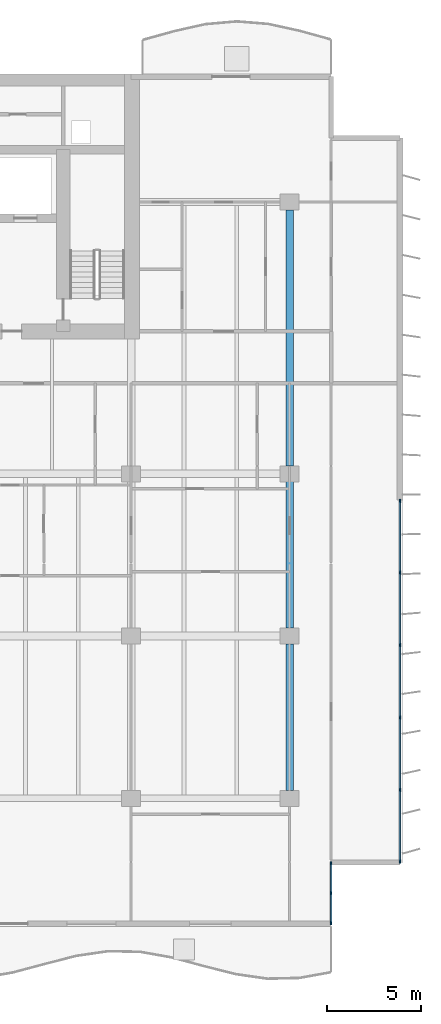
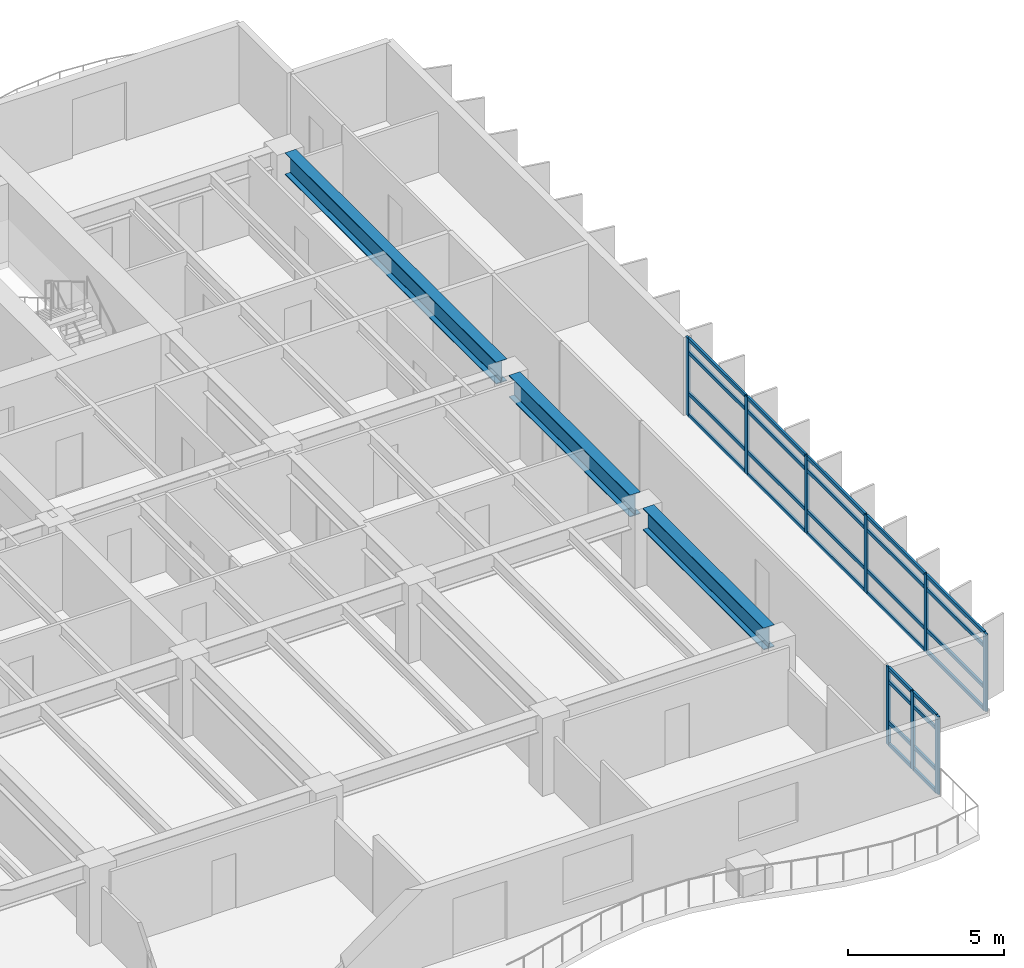
# One storey, part 4 of 16: 37 members, 3 beams, 2 elements without a shape of their own.
"""IFC4 building model written with IfcOpenShell, lengths in metres."""

from ifc_helpers import new_model, si_unit, direction, frame, origin, origin_2d, place, context, subcontext, project, spatial, rectangle, i_section, extrude, material, layer, layer_set, material_profile, profile_set, type_object, element, aggregate, save


model = new_model("IFC4")

# Units and contexts
model_context = context("Model", 3, precision=1e-05, world=origin(), true_north=direction((0.0, 1.0)))
body_context = subcontext(model_context, "Body", "Model", "MODEL_VIEW")
ifc_project = project(units=[si_unit("LENGTHUNIT", "METRE"), si_unit("AREAUNIT", "SQUARE_METRE"), si_unit("VOLUMEUNIT", "CUBIC_METRE"), si_unit("PLANEANGLEUNIT", "RADIAN"), si_unit("MASSUNIT", "GRAM", prefix="KILO")], contexts=[model_context])

# Site, building, storey
site_placement = place(None, origin())
site = spatial("IfcSite", under=ifc_project, at=site_placement, CompositionType="ELEMENT")
building_placement = place(site_placement, origin())
building = spatial("IfcBuilding", under=site, at=building_placement, Name="Caelmar Bay Residences", CompositionType="ELEMENT")
storey_placement = place(building_placement, frame((0.0, 0.0, 145.5)))
storey = spatial("IfcBuildingStorey", under=building, at=storey_placement, Name="L40", CompositionType="ELEMENT", Elevation=145.5)

# Beams
ifc_material_1 = material(Name="Steel ASTM A992 Grade 50", Category="steel")
ifc_material_profile_1 = material_profile(ifc_material_1, i_section(OverallWidth=0.40087890625, OverallDepth=0.861083984375, WebThickness=0.019775390625, FlangeThickness=0.032470703125, FilletRadius=0.017822265625, at=origin_2d()), Name="W33X221")
ifc_profile_set_1 = profile_set([ifc_material_profile_1], Name="Steel ASTM A992 Grade 50")
beam_type = type_object("IfcBeamType", Name="BM-GRD-W33X221", PredefinedType="BEAM", material=ifc_profile_set_1)
for number, where, z_axis, x_axis, name in (
    (1, (67.89990234375, 12.614990234375, 2.619384765625), (0.0, 1.0, 0.0), (-1.0, 0.0, 0.0), "L40 North-South Girder X=67.90 (12.2-20.8)"),
    (2, (67.89990234375, 21.215087890625, 2.619384765625), (0.0, 1.0, 0.0), (-1.0, 0.0, 0.0), "L40 North-South Girder X=67.90 (20.8-29.4)"),
):
    element("IfcBeam", number, at=place(storey_placement, frame(where, z_axis=z_axis, x_axis=x_axis)), inside=storey, type_object=beam_type, Name=name, PredefinedType="BEAM", context=body_context, shape_type="SweptSolid", body=[
        extrude(i_section(OverallWidth=0.40087890625, OverallDepth=0.861083984375, WebThickness=0.019775390625, FlangeThickness=0.032470703125, FilletRadius=0.017822265625, at=origin_2d()), origin(), (0.0, 0.0, 1.0), 7.77001953125),
    ])
beam_placement = place(storey_placement, frame((67.89990234375, 29.81494140625, 2.619384765625), z_axis=(0.0, 1.0, 0.0), x_axis=(-1.0, 0.0, 0.0)))
element("IfcBeam", 3, at=beam_placement, inside=storey, type_object=beam_type, Name="L40 North-South Girder X=67.90 (29.4-43.8)", PredefinedType="BEAM", context=body_context, shape_type="SweptSolid", body=[
    extrude(i_section(OverallWidth=0.40087890625, OverallDepth=0.861083984375, WebThickness=0.019775390625, FlangeThickness=0.032470703125, FilletRadius=0.017822265625, at=origin_2d()), origin(), (0.0, 0.0, 1.0), 13.570068359375),
])

# Curtain wall, members
ifc_material_2 = material(Name="Anodised bronze aluminium 6063-T6 and laminated glass", Category="aluminium")
ifc_layer_1 = layer(ifc_material_2, 0.179931640625)
ifc_layer_set_1 = layer_set([ifc_layer_1], Name="Anodised bronze aluminium 6063-T6 and laminated glass")
curtain_wall_type_1 = type_object("IfcCurtainWallType", Name="CW6-NTC", PredefinedType="NOTDEFINED", material=ifc_layer_set_1)
curtain_wall_1_placement = place(storey_placement, origin())
curtain_wall_1 = element("IfcCurtainWall", 4, at=curtain_wall_1_placement, inside=storey, type_object=curtain_wall_type_1, Name="CW6 curtain wall L40", PredefinedType="NOTDEFINED")
ifc_material_3 = material(Name="Anodised bronze aluminium 6063-T6", Category="aluminium")
ifc_material_profile_2 = material_profile(ifc_material_3, rectangle(XDim=0.080078125, YDim=0.179931640625, at=origin_2d()), Name="CWM-80X180")
ifc_profile_set_2 = profile_set([ifc_material_profile_2], Name="Anodised bronze aluminium 6063-T6")
member_type_1 = type_object("IfcMemberType", Name="CWM-180", PredefinedType="MULLION", material=ifc_profile_set_2)
member_1_placement = place(storey_placement, frame((70.10009765625, 5.590087890625, 0.0), z_axis=(0.0, 0.0, 1.0), x_axis=(-1.0, 0.0, 0.0)))
member_1 = element("IfcMember", 5, at=member_1_placement, type_object=member_type_1, Name="CW6 mullion 1", PredefinedType="MULLION", context=body_context, shape_type="SweptSolid", body=[
    extrude(rectangle(XDim=0.080078125, YDim=0.179931640625, at=origin_2d()), origin(), (0.0, 0.0, 1.0), 3.050048828125),
])
member_2_placement = place(storey_placement, frame((70.10009765625, 7.175048828125, 0.0), z_axis=(0.0, 0.0, 1.0), x_axis=(-1.0, 0.0, 0.0)))
member_2 = element("IfcMember", 6, at=member_2_placement, type_object=member_type_1, Name="CW6 mullion 2", PredefinedType="MULLION", context=body_context, shape_type="SweptSolid", body=[
    extrude(rectangle(XDim=0.080078125, YDim=0.179931640625, at=origin_2d()), origin(), (0.0, 0.0, 1.0), 3.050048828125),
])
member_3_placement = place(storey_placement, frame((70.10009765625, 8.760009765625, 0.0), z_axis=(0.0, 0.0, 1.0), x_axis=(-1.0, 0.0, 0.0)))
member_3 = element("IfcMember", 7, at=member_3_placement, type_object=member_type_1, Name="CW6 mullion 3", PredefinedType="MULLION", context=body_context, shape_type="SweptSolid", body=[
    extrude(rectangle(XDim=0.080078125, YDim=0.179931640625, at=origin_2d()), origin(), (0.0, 0.0, 1.0), 3.050048828125),
])

ifc_layer_2 = layer(ifc_material_2, 0.179931640625)
ifc_layer_set_2 = layer_set([ifc_layer_2], Name="Anodised bronze aluminium 6063-T6 and laminated glass")
curtain_wall_type_2 = type_object("IfcCurtainWallType", Name="CW3-Z2", PredefinedType="NOTDEFINED", material=ifc_layer_set_2)
curtain_wall_2_placement = place(storey_placement, origin())
curtain_wall_2 = element("IfcCurtainWall", 8, at=curtain_wall_2_placement, inside=storey, type_object=curtain_wall_type_2, Name="CW3 curtain wall L40", PredefinedType="NOTDEFINED")
member_4_placement = place(storey_placement, frame((73.75, 27.9599609375, 0.0), z_axis=(0.0, 0.0, 1.0), x_axis=(1.0, 0.0, 0.0)))
member_4 = element("IfcMember", 9, at=member_4_placement, type_object=member_type_1, Name="CW3 mullion 1", PredefinedType="MULLION", context=body_context, shape_type="SweptSolid", body=[
    extrude(rectangle(XDim=0.080078125, YDim=0.179931640625, at=origin_2d()), origin(), (0.0, 0.0, 1.0), 3.050048828125),
])
member_5_placement = place(storey_placement, frame((73.75, 24.159912109375, 0.0), z_axis=(0.0, 0.0, 1.0), x_axis=(1.0, 0.0, 0.0)))
member_5 = element("IfcMember", 10, at=member_5_placement, type_object=member_type_1, Name="CW3 mullion 2", PredefinedType="MULLION", context=body_context, shape_type="SweptSolid", body=[
    extrude(rectangle(XDim=0.080078125, YDim=0.179931640625, at=origin_2d()), origin(), (0.0, 0.0, 1.0), 3.050048828125),
])
member_6_placement = place(storey_placement, frame((73.75, 20.320068359375, 0.0), z_axis=(0.0, 0.0, 1.0), x_axis=(1.0, 0.0, 0.0)))
member_6 = element("IfcMember", 11, at=member_6_placement, type_object=member_type_1, Name="CW3 mullion 3", PredefinedType="MULLION", context=body_context, shape_type="SweptSolid", body=[
    extrude(rectangle(XDim=0.080078125, YDim=0.179931640625, at=origin_2d()), origin(), (0.0, 0.0, 1.0), 3.050048828125),
])
member_7_placement = place(storey_placement, frame((73.75, 16.47998046875, 0.0), z_axis=(0.0, 0.0, 1.0), x_axis=(1.0, 0.0, 0.0)))
member_7 = element("IfcMember", 12, at=member_7_placement, type_object=member_type_1, Name="CW3 mullion 4", PredefinedType="MULLION", context=body_context, shape_type="SweptSolid", body=[
    extrude(rectangle(XDim=0.080078125, YDim=0.179931640625, at=origin_2d()), origin(), (0.0, 0.0, 1.0), 3.050048828125),
])
member_8_placement = place(storey_placement, frame((73.75, 12.639892578125, 0.0), z_axis=(0.0, 0.0, 1.0), x_axis=(1.0, 0.0, 0.0)))
member_8 = element("IfcMember", 13, at=member_8_placement, type_object=member_type_1, Name="CW3 mullion 5", PredefinedType="MULLION", context=body_context, shape_type="SweptSolid", body=[
    extrude(rectangle(XDim=0.080078125, YDim=0.179931640625, at=origin_2d()), origin(), (0.0, 0.0, 1.0), 3.050048828125),
])
member_9_placement = place(storey_placement, frame((73.75, 8.840087890625, 0.0), z_axis=(0.0, 0.0, 1.0), x_axis=(1.0, 0.0, 0.0)))
member_9 = element("IfcMember", 14, at=member_9_placement, type_object=member_type_1, Name="CW3 mullion 6", PredefinedType="MULLION", context=body_context, shape_type="SweptSolid", body=[
    extrude(rectangle(XDim=0.080078125, YDim=0.179931640625, at=origin_2d()), origin(), (0.0, 0.0, 1.0), 3.050048828125),
])

# Member
ifc_material_profile_3 = material_profile(ifc_material_3, rectangle(XDim=0.080078125, YDim=0.139892578125, at=origin_2d()), Name="CWT-80X140")
ifc_profile_set_3 = profile_set([ifc_material_profile_3], Name="Anodised bronze aluminium 6063-T6")
member_type_2 = type_object("IfcMemberType", Name="CWT-140", PredefinedType="NOTDEFINED", material=ifc_profile_set_3)
member_10_placement = place(storey_placement, frame((70.10009765625, 5.6298828125, 0.0400390625), z_axis=(0.0, 1.0, 0.0), x_axis=(-1.0, 0.0, 0.0)))
member_10 = element("IfcMember", 15, at=member_10_placement, type_object=member_type_2, Name="CW6 transom 1.1", ObjectType="TRANSOM", PredefinedType="USERDEFINED", context=body_context, shape_type="SweptSolid", body=[
    extrude(rectangle(XDim=0.080078125, YDim=0.139892578125, at=origin_2d()), origin(), (0.0, 0.0, 1.0), 1.505126953125),
])

member_11_placement = place(storey_placement, frame((70.10009765625, 5.6298828125, 0.89990234375), z_axis=(0.0, 1.0, 0.0), x_axis=(-1.0, 0.0, 0.0)))
member_11 = element("IfcMember", 16, at=member_11_placement, type_object=member_type_2, Name="CW6 transom 1.2", ObjectType="TRANSOM", PredefinedType="USERDEFINED", context=body_context, shape_type="SweptSolid", body=[
    extrude(rectangle(XDim=0.080078125, YDim=0.139892578125, at=origin_2d()), origin(), (0.0, 0.0, 1.0), 1.505126953125),
])

member_12_placement = place(storey_placement, frame((70.10009765625, 5.6298828125, 2.5), z_axis=(0.0, 1.0, 0.0), x_axis=(-1.0, 0.0, 0.0)))
member_12 = element("IfcMember", 17, at=member_12_placement, type_object=member_type_2, Name="CW6 transom 1.3", ObjectType="TRANSOM", PredefinedType="USERDEFINED", context=body_context, shape_type="SweptSolid", body=[
    extrude(rectangle(XDim=0.080078125, YDim=0.139892578125, at=origin_2d()), origin(), (0.0, 0.0, 1.0), 1.505126953125),
])

member_13_placement = place(storey_placement, frame((70.10009765625, 5.6298828125, 3.010009765625), z_axis=(0.0, 1.0, 0.0), x_axis=(-1.0, 0.0, 0.0)))
member_13 = element("IfcMember", 18, at=member_13_placement, type_object=member_type_2, Name="CW6 transom 1.4", ObjectType="TRANSOM", PredefinedType="USERDEFINED", context=body_context, shape_type="SweptSolid", body=[
    extrude(rectangle(XDim=0.080078125, YDim=0.139892578125, at=origin_2d()), origin(), (0.0, 0.0, 1.0), 1.505126953125),
])

member_14_placement = place(storey_placement, frame((70.10009765625, 7.215087890625, 0.0400390625), z_axis=(0.0, 1.0, 0.0), x_axis=(-1.0, 0.0, 0.0)))
member_14 = element("IfcMember", 19, at=member_14_placement, type_object=member_type_2, Name="CW6 transom 2.1", ObjectType="TRANSOM", PredefinedType="USERDEFINED", context=body_context, shape_type="SweptSolid", body=[
    extrude(rectangle(XDim=0.080078125, YDim=0.139892578125, at=origin_2d()), origin(), (0.0, 0.0, 1.0), 1.5048828125),
])

member_15_placement = place(storey_placement, frame((70.10009765625, 7.215087890625, 0.89990234375), z_axis=(0.0, 1.0, 0.0), x_axis=(-1.0, 0.0, 0.0)))
member_15 = element("IfcMember", 20, at=member_15_placement, type_object=member_type_2, Name="CW6 transom 2.2", ObjectType="TRANSOM", PredefinedType="USERDEFINED", context=body_context, shape_type="SweptSolid", body=[
    extrude(rectangle(XDim=0.080078125, YDim=0.139892578125, at=origin_2d()), origin(), (0.0, 0.0, 1.0), 1.5048828125),
])

member_16_placement = place(storey_placement, frame((70.10009765625, 7.215087890625, 2.5), z_axis=(0.0, 1.0, 0.0), x_axis=(-1.0, 0.0, 0.0)))
member_16 = element("IfcMember", 21, at=member_16_placement, type_object=member_type_2, Name="CW6 transom 2.3", ObjectType="TRANSOM", PredefinedType="USERDEFINED", context=body_context, shape_type="SweptSolid", body=[
    extrude(rectangle(XDim=0.080078125, YDim=0.139892578125, at=origin_2d()), origin(), (0.0, 0.0, 1.0), 1.5048828125),
])

member_17_placement = place(storey_placement, frame((70.10009765625, 7.215087890625, 3.010009765625), z_axis=(0.0, 1.0, 0.0), x_axis=(-1.0, 0.0, 0.0)))
member_17 = element("IfcMember", 22, at=member_17_placement, type_object=member_type_2, Name="CW6 transom 2.4", ObjectType="TRANSOM", PredefinedType="USERDEFINED", context=body_context, shape_type="SweptSolid", body=[
    extrude(rectangle(XDim=0.080078125, YDim=0.139892578125, at=origin_2d()), origin(), (0.0, 0.0, 1.0), 1.5048828125),
])

aggregate(curtain_wall_1, [member_1, member_2, member_3, member_10, member_11, member_12, member_13, member_14, member_15, member_16, member_17])

member_18_placement = place(storey_placement, frame((73.75, 27.919921875, 0.0400390625), z_axis=(0.0, -1.0, 0.0), x_axis=(1.0, 0.0, 0.0)))
member_18 = element("IfcMember", 23, at=member_18_placement, type_object=member_type_2, Name="CW3 transom 1.1", ObjectType="TRANSOM", PredefinedType="USERDEFINED", context=body_context, shape_type="SweptSolid", body=[
    extrude(rectangle(XDim=0.080078125, YDim=0.139892578125, at=origin_2d()), origin(), (0.0, 0.0, 1.0), 3.719970703125),
])

member_19_placement = place(storey_placement, frame((73.75, 27.919921875, 0.89990234375), z_axis=(0.0, -1.0, 0.0), x_axis=(1.0, 0.0, 0.0)))
member_19 = element("IfcMember", 24, at=member_19_placement, type_object=member_type_2, Name="CW3 transom 1.2", ObjectType="TRANSOM", PredefinedType="USERDEFINED", context=body_context, shape_type="SweptSolid", body=[
    extrude(rectangle(XDim=0.080078125, YDim=0.139892578125, at=origin_2d()), origin(), (0.0, 0.0, 1.0), 3.719970703125),
])

member_20_placement = place(storey_placement, frame((73.75, 27.919921875, 2.5), z_axis=(0.0, -1.0, 0.0), x_axis=(1.0, 0.0, 0.0)))
member_20 = element("IfcMember", 25, at=member_20_placement, type_object=member_type_2, Name="CW3 transom 1.3", ObjectType="TRANSOM", PredefinedType="USERDEFINED", context=body_context, shape_type="SweptSolid", body=[
    extrude(rectangle(XDim=0.080078125, YDim=0.139892578125, at=origin_2d()), origin(), (0.0, 0.0, 1.0), 3.719970703125),
])

member_21_placement = place(storey_placement, frame((73.75, 27.919921875, 3.010009765625), z_axis=(0.0, -1.0, 0.0), x_axis=(1.0, 0.0, 0.0)))
member_21 = element("IfcMember", 26, at=member_21_placement, type_object=member_type_2, Name="CW3 transom 1.4", ObjectType="TRANSOM", PredefinedType="USERDEFINED", context=body_context, shape_type="SweptSolid", body=[
    extrude(rectangle(XDim=0.080078125, YDim=0.139892578125, at=origin_2d()), origin(), (0.0, 0.0, 1.0), 3.719970703125),
])

member_22_placement = place(storey_placement, frame((73.75, 24.1201171875, 0.0400390625), z_axis=(0.0, -1.0, 0.0), x_axis=(1.0, 0.0, 0.0)))
member_22 = element("IfcMember", 27, at=member_22_placement, type_object=member_type_2, Name="CW3 transom 2.1", ObjectType="TRANSOM", PredefinedType="USERDEFINED", context=body_context, shape_type="SweptSolid", body=[
    extrude(rectangle(XDim=0.080078125, YDim=0.139892578125, at=origin_2d()), origin(), (0.0, 0.0, 1.0), 3.760009765625),
])

member_23_placement = place(storey_placement, frame((73.75, 24.1201171875, 0.89990234375), z_axis=(0.0, -1.0, 0.0), x_axis=(1.0, 0.0, 0.0)))
member_23 = element("IfcMember", 28, at=member_23_placement, type_object=member_type_2, Name="CW3 transom 2.2", ObjectType="TRANSOM", PredefinedType="USERDEFINED", context=body_context, shape_type="SweptSolid", body=[
    extrude(rectangle(XDim=0.080078125, YDim=0.139892578125, at=origin_2d()), origin(), (0.0, 0.0, 1.0), 3.760009765625),
])

member_24_placement = place(storey_placement, frame((73.75, 24.1201171875, 2.5), z_axis=(0.0, -1.0, 0.0), x_axis=(1.0, 0.0, 0.0)))
member_24 = element("IfcMember", 29, at=member_24_placement, type_object=member_type_2, Name="CW3 transom 2.3", ObjectType="TRANSOM", PredefinedType="USERDEFINED", context=body_context, shape_type="SweptSolid", body=[
    extrude(rectangle(XDim=0.080078125, YDim=0.139892578125, at=origin_2d()), origin(), (0.0, 0.0, 1.0), 3.760009765625),
])

member_25_placement = place(storey_placement, frame((73.75, 24.1201171875, 3.010009765625), z_axis=(0.0, -1.0, 0.0), x_axis=(1.0, 0.0, 0.0)))
member_25 = element("IfcMember", 30, at=member_25_placement, type_object=member_type_2, Name="CW3 transom 2.4", ObjectType="TRANSOM", PredefinedType="USERDEFINED", context=body_context, shape_type="SweptSolid", body=[
    extrude(rectangle(XDim=0.080078125, YDim=0.139892578125, at=origin_2d()), origin(), (0.0, 0.0, 1.0), 3.760009765625),
])

member_26_placement = place(storey_placement, frame((73.75, 20.280029296875, 0.0400390625), z_axis=(0.0, -1.0, 0.0), x_axis=(1.0, 0.0, 0.0)))
member_26 = element("IfcMember", 31, at=member_26_placement, type_object=member_type_2, Name="CW3 transom 3.1", ObjectType="TRANSOM", PredefinedType="USERDEFINED", context=body_context, shape_type="SweptSolid", body=[
    extrude(rectangle(XDim=0.080078125, YDim=0.139892578125, at=origin_2d()), origin(), (0.0, 0.0, 1.0), 3.760009765625),
])

member_27_placement = place(storey_placement, frame((73.75, 20.280029296875, 0.89990234375), z_axis=(0.0, -1.0, 0.0), x_axis=(1.0, 0.0, 0.0)))
member_27 = element("IfcMember", 32, at=member_27_placement, type_object=member_type_2, Name="CW3 transom 3.2", ObjectType="TRANSOM", PredefinedType="USERDEFINED", context=body_context, shape_type="SweptSolid", body=[
    extrude(rectangle(XDim=0.080078125, YDim=0.139892578125, at=origin_2d()), origin(), (0.0, 0.0, 1.0), 3.760009765625),
])

member_28_placement = place(storey_placement, frame((73.75, 20.280029296875, 2.5), z_axis=(0.0, -1.0, 0.0), x_axis=(1.0, 0.0, 0.0)))
member_28 = element("IfcMember", 33, at=member_28_placement, type_object=member_type_2, Name="CW3 transom 3.3", ObjectType="TRANSOM", PredefinedType="USERDEFINED", context=body_context, shape_type="SweptSolid", body=[
    extrude(rectangle(XDim=0.080078125, YDim=0.139892578125, at=origin_2d()), origin(), (0.0, 0.0, 1.0), 3.760009765625),
])

member_29_placement = place(storey_placement, frame((73.75, 20.280029296875, 3.010009765625), z_axis=(0.0, -1.0, 0.0), x_axis=(1.0, 0.0, 0.0)))
member_29 = element("IfcMember", 34, at=member_29_placement, type_object=member_type_2, Name="CW3 transom 3.4", ObjectType="TRANSOM", PredefinedType="USERDEFINED", context=body_context, shape_type="SweptSolid", body=[
    extrude(rectangle(XDim=0.080078125, YDim=0.139892578125, at=origin_2d()), origin(), (0.0, 0.0, 1.0), 3.760009765625),
])

member_30_placement = place(storey_placement, frame((73.75, 16.43994140625, 0.0400390625), z_axis=(0.0, -1.0, 0.0), x_axis=(1.0, 0.0, 0.0)))
member_30 = element("IfcMember", 35, at=member_30_placement, type_object=member_type_2, Name="CW3 transom 4.1", ObjectType="TRANSOM", PredefinedType="USERDEFINED", context=body_context, shape_type="SweptSolid", body=[
    extrude(rectangle(XDim=0.080078125, YDim=0.139892578125, at=origin_2d()), origin(), (0.0, 0.0, 1.0), 3.760009765625),
])

member_31_placement = place(storey_placement, frame((73.75, 16.43994140625, 0.89990234375), z_axis=(0.0, -1.0, 0.0), x_axis=(1.0, 0.0, 0.0)))
member_31 = element("IfcMember", 36, at=member_31_placement, type_object=member_type_2, Name="CW3 transom 4.2", ObjectType="TRANSOM", PredefinedType="USERDEFINED", context=body_context, shape_type="SweptSolid", body=[
    extrude(rectangle(XDim=0.080078125, YDim=0.139892578125, at=origin_2d()), origin(), (0.0, 0.0, 1.0), 3.760009765625),
])

member_32_placement = place(storey_placement, frame((73.75, 16.43994140625, 2.5), z_axis=(0.0, -1.0, 0.0), x_axis=(1.0, 0.0, 0.0)))
member_32 = element("IfcMember", 37, at=member_32_placement, type_object=member_type_2, Name="CW3 transom 4.3", ObjectType="TRANSOM", PredefinedType="USERDEFINED", context=body_context, shape_type="SweptSolid", body=[
    extrude(rectangle(XDim=0.080078125, YDim=0.139892578125, at=origin_2d()), origin(), (0.0, 0.0, 1.0), 3.760009765625),
])

member_33_placement = place(storey_placement, frame((73.75, 16.43994140625, 3.010009765625), z_axis=(0.0, -1.0, 0.0), x_axis=(1.0, 0.0, 0.0)))
member_33 = element("IfcMember", 38, at=member_33_placement, type_object=member_type_2, Name="CW3 transom 4.4", ObjectType="TRANSOM", PredefinedType="USERDEFINED", context=body_context, shape_type="SweptSolid", body=[
    extrude(rectangle(XDim=0.080078125, YDim=0.139892578125, at=origin_2d()), origin(), (0.0, 0.0, 1.0), 3.760009765625),
])

member_34_placement = place(storey_placement, frame((73.75, 12.60009765625, 0.0400390625), z_axis=(0.0, -1.0, 0.0), x_axis=(1.0, 0.0, 0.0)))
member_34 = element("IfcMember", 39, at=member_34_placement, type_object=member_type_2, Name="CW3 transom 5.1", ObjectType="TRANSOM", PredefinedType="USERDEFINED", context=body_context, shape_type="SweptSolid", body=[
    extrude(rectangle(XDim=0.080078125, YDim=0.139892578125, at=origin_2d()), origin(), (0.0, 0.0, 1.0), 3.72021484375),
])

member_35_placement = place(storey_placement, frame((73.75, 12.60009765625, 0.89990234375), z_axis=(0.0, -1.0, 0.0), x_axis=(1.0, 0.0, 0.0)))
member_35 = element("IfcMember", 40, at=member_35_placement, type_object=member_type_2, Name="CW3 transom 5.2", ObjectType="TRANSOM", PredefinedType="USERDEFINED", context=body_context, shape_type="SweptSolid", body=[
    extrude(rectangle(XDim=0.080078125, YDim=0.139892578125, at=origin_2d()), origin(), (0.0, 0.0, 1.0), 3.72021484375),
])

member_36_placement = place(storey_placement, frame((73.75, 12.60009765625, 2.5), z_axis=(0.0, -1.0, 0.0), x_axis=(1.0, 0.0, 0.0)))
member_36 = element("IfcMember", 41, at=member_36_placement, type_object=member_type_2, Name="CW3 transom 5.3", ObjectType="TRANSOM", PredefinedType="USERDEFINED", context=body_context, shape_type="SweptSolid", body=[
    extrude(rectangle(XDim=0.080078125, YDim=0.139892578125, at=origin_2d()), origin(), (0.0, 0.0, 1.0), 3.72021484375),
])

member_37_placement = place(storey_placement, frame((73.75, 12.60009765625, 3.010009765625), z_axis=(0.0, -1.0, 0.0), x_axis=(1.0, 0.0, 0.0)))
member_37 = element("IfcMember", 42, at=member_37_placement, type_object=member_type_2, Name="CW3 transom 5.4", ObjectType="TRANSOM", PredefinedType="USERDEFINED", context=body_context, shape_type="SweptSolid", body=[
    extrude(rectangle(XDim=0.080078125, YDim=0.139892578125, at=origin_2d()), origin(), (0.0, 0.0, 1.0), 3.72021484375),
])

aggregate(curtain_wall_2, [member_4, member_5, member_6, member_7, member_8, member_9, member_18, member_19, member_20, member_21, member_22, member_23, member_24, member_25, member_26, member_27, member_28, member_29, member_30, member_31, member_32, member_33, member_34, member_35, member_36, member_37])

save(model, "model.ifc")
